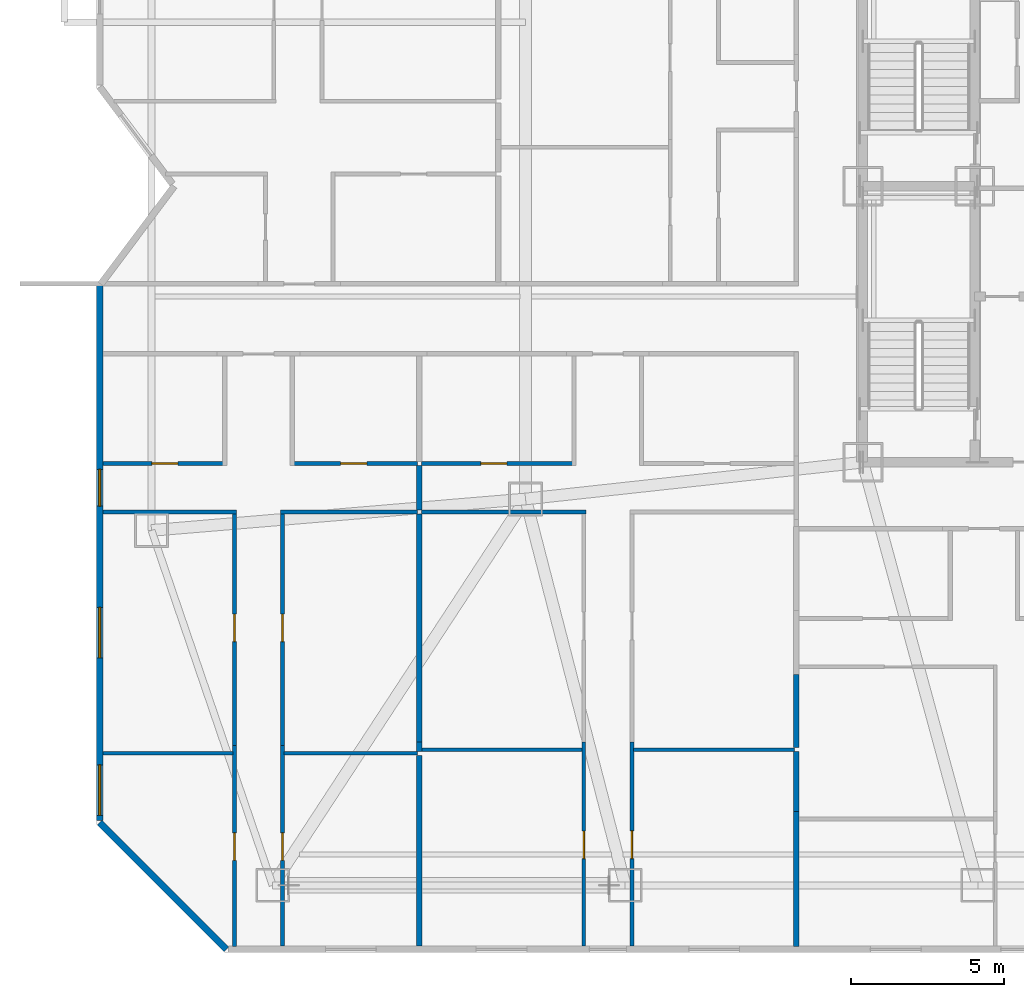
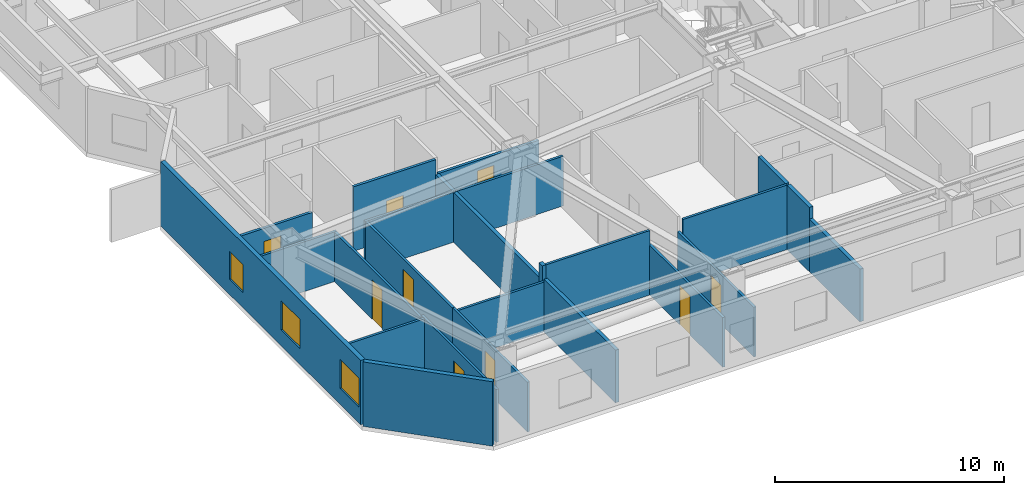
# One storey, part 6 of 14: 25 walls, 9 doors, 3 windows, 12 openings.
"""IFC4 building model written with IfcOpenShell, lengths in metres."""

from ifc_helpers import new_model, si_unit, direction, frame, frame_2d, origin, place, context, subcontext, project, spatial, rectangle, extrude, material, layer, layer_set, type_object, element, fill, save


model = new_model("IFC4")

# Units and contexts
model_context = context("Model", 3, precision=1e-05, world=origin(), true_north=direction((0.0, 1.0)))
body_context = subcontext(model_context, "Body", "Model", "MODEL_VIEW")
ifc_project = project(units=[si_unit("LENGTHUNIT", "METRE"), si_unit("AREAUNIT", "SQUARE_METRE"), si_unit("VOLUMEUNIT", "CUBIC_METRE"), si_unit("PLANEANGLEUNIT", "RADIAN"), si_unit("MASSUNIT", "GRAM", prefix="KILO")], contexts=[model_context])

# Site, building, storey
site_placement = place(None, origin())
site = spatial("IfcSite", under=ifc_project, at=site_placement, CompositionType="ELEMENT")
building_placement = place(site_placement, origin())
building = spatial("IfcBuilding", under=site, at=building_placement, Name="Khamvora Tower", CompositionType="ELEMENT")
storey_placement = place(building_placement, frame((0.0, 0.0, 51.550048828125)))
storey = spatial("IfcBuildingStorey", under=building, at=storey_placement, Name="L12", CompositionType="ELEMENT", Elevation=51.550048828125)

# Walls
ifc_material_1 = material(Name="Acoustic Double-Stud Fire Wall", Category="gypsum")
ifc_layer_1 = layer(ifc_material_1, 0.179931640625)
ifc_layer_set_1 = layer_set([ifc_layer_1], Name="Acoustic Double-Stud Fire Wall")
wall_type_1 = type_object("IfcWallType", Name="WAL-CORR-180", PredefinedType="STANDARD", material=ifc_layer_set_1)
wall_1_placement = place(storey_placement, frame((14.533935546875, 18.889892578125, 0.0), z_axis=(0.0, 0.0, 1.0), x_axis=(0.0, -1.0, 0.0)))
element("IfcWall", 1, at=wall_1_placement, inside=storey, type_object=wall_type_1, Name="L12 interior partition wall 058", PredefinedType="STANDARD", context=body_context, shape_type="SweptSolid", body=[
    extrude(rectangle(XDim=1.449951171875, YDim=0.179931640625, at=frame_2d((0.72509765625, 0.0))), origin(), (0.0, 0.0, 1.0), 2.64697265625),
])
wall_2_placement = place(storey_placement, frame((14.533935546875, 9.44091796875, 0.0), z_axis=(0.0, 0.0, 1.0), x_axis=(0.0, -1.0, 0.0)))
element("IfcWall", 2, at=wall_2_placement, inside=storey, type_object=wall_type_1, Name="L12 interior partition wall 062", PredefinedType="STANDARD", context=body_context, shape_type="SweptSolid", body=[
    extrude(rectangle(XDim=6.22900390625, YDim=0.179931640625, at=frame_2d((3.114501953125, 0.0))), origin(), (0.0, 0.0, 1.0), 2.802978515625),
])
wall_3_placement = place(storey_placement, frame((14.533935546875, 9.8720703125, 0.0), z_axis=(0.0, 0.0, 1.0), x_axis=(0.0, -1.0, 0.0)))
element("IfcWall", 3, at=wall_3_placement, inside=storey, type_object=wall_type_1, Name="L12 interior partition wall 063", PredefinedType="STANDARD", context=body_context, shape_type="SweptSolid", body=[
    extrude(rectangle(XDim=0.301025390625, YDim=0.179931640625, at=frame_2d((0.150390625, 0.0))), origin(), (0.0, 0.0, 1.0), 3.429931640625),
])
wall_4_placement = place(storey_placement, frame((14.533935546875, 17.31005859375, 0.0), z_axis=(0.0, 0.0, 1.0), x_axis=(0.0, -1.0, 0.0)))
element("IfcWall", 4, at=wall_4_placement, inside=storey, type_object=wall_type_1, Name="L12 interior partition wall 064", PredefinedType="STANDARD", context=body_context, shape_type="SweptSolid", body=[
    extrude(rectangle(XDim=7.43798828125, YDim=0.179931640625, at=frame_2d((3.718994140625, 0.0))), origin(), (0.0, 0.0, 1.0), 2.64697265625),
])
wall_5_placement = place(storey_placement, frame((26.8349609375, 7.610107421875, 0.0), z_axis=(0.0, 0.0, 1.0), x_axis=(0.0, -1.0, 0.0)))
element("IfcWall", 5, at=wall_5_placement, inside=storey, type_object=wall_type_1, Name="L12 interior partition wall 077", PredefinedType="STANDARD", context=body_context, shape_type="SweptSolid", body=[
    extrude(rectangle(XDim=4.398193359375, YDim=0.179931640625, at=frame_2d((2.19921875, 0.0))), origin(), (0.0, 0.0, 1.0), 2.802978515625),
])
wall_6_placement = place(storey_placement, frame((26.8349609375, 9.55810546875, 0.0), z_axis=(0.0, 0.0, 1.0), x_axis=(0.0, -1.0, 0.0)))
element("IfcWall", 6, at=wall_6_placement, inside=storey, type_object=wall_type_1, Name="L12 interior partition wall 078", PredefinedType="STANDARD", context=body_context, shape_type="SweptSolid", body=[
    extrude(rectangle(XDim=1.947998046875, YDim=0.179931640625, at=frame_2d((0.97412109375, 0.0))), origin(), (0.0, 0.0, 1.0), 3.429931640625),
])
wall_7_placement = place(storey_placement, frame((26.8349609375, 12.076904296875, 0.0), z_axis=(0.0, 0.0, 1.0), x_axis=(0.0, -1.0, 0.0)))
element("IfcWall", 7, at=wall_7_placement, inside=storey, type_object=wall_type_1, Name="L12 interior partition wall 081", PredefinedType="STANDARD", context=body_context, shape_type="SweptSolid", body=[
    extrude(rectangle(XDim=2.388916015625, YDim=0.179931640625, at=frame_2d((1.1943359375, 0.0))), origin(), (0.0, 0.0, 1.0), 3.429931640625),
])
ifc_material_2 = material(Name="Precast concrete C40/50", Category="concrete")
ifc_layer_2 = layer(ifc_material_2, 0.219970703125)
ifc_layer_set_2 = layer_set([ifc_layer_2], Name="Precast concrete C40/50")
wall_type_2 = type_object("IfcWallType", Name="WAL-EXT-220", PredefinedType="STANDARD", material=ifc_layer_set_2)
wall_8_placement = place(storey_placement, frame((8.24609375, 3.110107421875, 0.0), z_axis=(0.0, 0.0, 1.0), x_axis=(-0.707106781187, 0.707106781187, 0.0)))
element("IfcWall", 8, at=wall_8_placement, inside=storey, type_object=wall_type_2, Name="L12 exterior facade wall 01.1", PredefinedType="STANDARD", context=body_context, shape_type="SweptSolid", body=[
    extrude(rectangle(XDim=5.84912109375, YDim=0.219970703125, at=frame_2d((2.924560546875, 0.0))), origin(), (0.0, 0.0, 1.0), 3.429931640625),
])

# Wall, openings, windows
wall_9_placement = place(storey_placement, frame((4.110107421875, 7.31689453125, 0.0), z_axis=(0.0, 0.0, 1.0), x_axis=(0.0, 1.0, 0.0)))
wall_9 = element("IfcWall", 9, at=wall_9_placement, inside=storey, type_object=wall_type_2, Name="L12 exterior facade wall 02.1", PredefinedType="STANDARD", context=body_context, shape_type="SweptSolid", body=[
    extrude(rectangle(XDim=17.446044921875, YDim=0.219970703125, at=frame_2d((8.72314453125, 0.0))), origin(), (0.0, 0.0, 1.0), 3.429931640625),
])
opening_1_placement = place(wall_9_placement, frame((10.248046875, 0.0, 0.800048828125)))
opening_1 = element("IfcOpeningElement", 10, at=opening_1_placement, cuts=wall_9, Name="Opening WN-03", PredefinedType="OPENING", context=body_context, shape_type="SweptSolid", body=[
    extrude(rectangle(XDim=1.199951171875, YDim=1.5, at=frame_2d((0.60009765625, 0.75))), frame((0.0, 0.119873046875, 0.0), z_axis=(0.0, -1.0, 0.0), x_axis=(1.0, 0.0, 0.0)), (0.0, 0.0, 1.0), 0.239990234375),
])
opening_2_placement = place(wall_9_placement, frame((0.162109375, 0.0, 0.85009765625)))
opening_2 = element("IfcOpeningElement", 11, at=opening_2_placement, cuts=wall_9, Name="Opening WN-06", PredefinedType="OPENING", context=body_context, shape_type="SweptSolid", body=[
    extrude(rectangle(XDim=1.64990234375, YDim=1.550048828125, at=frame_2d((0.824951171875, 0.77490234375))), frame((0.0, 0.119873046875, 0.0), z_axis=(0.0, -1.0, 0.0), x_axis=(1.0, 0.0, 0.0)), (0.0, 0.0, 1.0), 0.239990234375),
])
opening_3_placement = place(wall_9_placement, frame((5.299072265625, 0.0, 0.85009765625)))
opening_3 = element("IfcOpeningElement", 12, at=opening_3_placement, cuts=wall_9, Name="Opening WN-06", PredefinedType="OPENING", context=body_context, shape_type="SweptSolid", body=[
    extrude(rectangle(XDim=1.64990234375, YDim=1.550048828125, at=frame_2d((0.824951171875, 0.77490234375))), frame((0.0, 0.119873046875, 0.0), z_axis=(0.0, -1.0, 0.0), x_axis=(1.0, 0.0, 0.0)), (0.0, 0.0, 1.0), 0.239990234375),
])
ifc_material_3 = material(Name="Low-E Laminated Double Glazing", Category="glass")
window_type_1 = type_object("IfcWindowType", Name="WIN-VIS-1200x1500", PartitioningType="SINGLE_PANEL", PredefinedType="WINDOW", material=ifc_material_3)
window_1_placement = place(opening_1_placement, origin())
window_1 = element("IfcWindow", 13, at=window_1_placement, inside=storey, type_object=window_type_1, Name="L12 vision window 02.1.01", OverallHeight=1.5, OverallWidth=1.199951171875, PartitioningType="SINGLE_PANEL", PredefinedType="WINDOW", context=body_context, shape_type="SweptSolid", body=[
    extrude(rectangle(XDim=1.199951171875, YDim=1.5, at=frame_2d((0.60009765625, 0.75))), frame((0.0, 0.030029296875, 0.0), z_axis=(0.0, -1.0, 0.0), x_axis=(1.0, 0.0, 0.0)), (0.0, 0.0, 1.0), 0.06005859375),
])
fill(opening_1, window_1)
window_type_2 = type_object("IfcWindowType", Name="WIN-VIS-1650x1550", PartitioningType="SINGLE_PANEL", PredefinedType="WINDOW", material=ifc_material_3)
window_2_placement = place(opening_2_placement, origin())
window_2 = element("IfcWindow", 14, at=window_2_placement, inside=storey, type_object=window_type_2, Name="L12 vision window 02.1.02", OverallHeight=1.550048828125, OverallWidth=1.64990234375, PartitioningType="SINGLE_PANEL", PredefinedType="WINDOW", context=body_context, shape_type="SweptSolid", body=[
    extrude(rectangle(XDim=1.64990234375, YDim=1.550048828125, at=frame_2d((0.824951171875, 0.77490234375))), frame((0.0, 0.030029296875, 0.0), z_axis=(0.0, -1.0, 0.0), x_axis=(1.0, 0.0, 0.0)), (0.0, 0.0, 1.0), 0.06005859375),
])
fill(opening_2, window_2)
window_3_placement = place(opening_3_placement, origin())
window_3 = element("IfcWindow", 15, at=window_3_placement, inside=storey, type_object=window_type_2, Name="L12 vision window 02.1.03", OverallHeight=1.550048828125, OverallWidth=1.64990234375, PartitioningType="SINGLE_PANEL", PredefinedType="WINDOW", context=body_context, shape_type="SweptSolid", body=[
    extrude(rectangle(XDim=1.64990234375, YDim=1.550048828125, at=frame_2d((0.824951171875, 0.77490234375))), frame((0.0, 0.030029296875, 0.0), z_axis=(0.0, -1.0, 0.0), x_axis=(1.0, 0.0, 0.0)), (0.0, 0.0, 1.0), 0.06005859375),
])
fill(opening_3, window_3)

# Wall, opening, door
ifc_material_4 = material(Name="Gypsum Plasterboard Partition", Category="gypsum")
ifc_layer_3 = layer(ifc_material_4, 0.1201171875)
ifc_layer_set_3 = layer_set([ifc_layer_3], Name="Gypsum Plasterboard Partition")
wall_type_3 = type_object("IfcWallType", Name="WAL-PART-120", PredefinedType="PARTITIONING", material=ifc_layer_set_3)
wall_10_placement = place(storey_placement, frame((8.50390625, 3.2119140625, 0.0), z_axis=(0.0, 0.0, 1.0), x_axis=(0.0, 1.0, 0.0)))
wall_10 = element("IfcWall", 16, at=wall_10_placement, inside=storey, type_object=wall_type_3, Name="L12 interior partition wall 052", PredefinedType="PARTITIONING", context=body_context, shape_type="SweptSolid", body=[
    extrude(rectangle(XDim=6.544189453125, YDim=0.1201171875, at=frame_2d((3.27197265625, 0.0))), origin(), (0.0, 0.0, 1.0), 2.802978515625),
])
opening_4_placement = place(wall_10_placement, frame((2.800048828125, 0.0, 0.0)))
opening_4 = element("IfcOpeningElement", 17, at=opening_4_placement, cuts=wall_10, Name="Opening D-RM1", PredefinedType="OPENING", context=body_context, shape_type="SweptSolid", body=[
    extrude(rectangle(XDim=0.89990234375, YDim=2.10009765625, at=frame_2d((0.449951171875, 1.050048828125))), frame((0.0, 0.070068359375, 0.0), z_axis=(0.0, -1.0, 0.0), x_axis=(1.0, 0.0, 0.0)), (0.0, 0.0, 1.0), 0.14013671875),
])
ifc_material_5 = material(Name="Powder-Coated Steel and Hardwood Leaf", Category="steel")
door_type_1 = type_object("IfcDoorType", Name="DOR-ROOM-900", OperationType="NOTDEFINED", PredefinedType="DOOR", material=ifc_material_5)
door_1_placement = place(opening_4_placement, origin())
door_1 = element("IfcDoor", 18, at=door_1_placement, inside=storey, type_object=door_type_1, Name="L12 interior door 12WA1H-12WA1L", OperationType="SINGLE_SWING_RIGHT", OverallHeight=2.10009765625, OverallWidth=0.89990234375, PredefinedType="DOOR", context=body_context, shape_type="SweptSolid", body=[
    extrude(rectangle(XDim=0.89990234375, YDim=2.10009765625, at=frame_2d((0.449951171875, 1.050048828125))), frame((0.0, 0.02490234375, 0.0), z_axis=(0.0, -1.0, 0.0), x_axis=(1.0, 0.0, 0.0)), (0.0, 0.0, 1.0), 0.050048828125),
])
fill(opening_4, door_1)

wall_11_placement = place(storey_placement, frame((8.50390625, 9.756103515625, 0.0), z_axis=(0.0, 0.0, 1.0), x_axis=(0.0, 1.0, 0.0)))
wall_11 = element("IfcWall", 19, at=wall_11_placement, inside=storey, type_object=wall_type_3, Name="L12 interior partition wall 053", PredefinedType="PARTITIONING", context=body_context, shape_type="SweptSolid", body=[
    extrude(rectangle(XDim=7.683837890625, YDim=0.1201171875, at=frame_2d((3.841796875, 0.0))), origin(), (0.0, 0.0, 1.0), 2.64697265625),
])
opening_5_placement = place(wall_11_placement, frame((3.39208984375, 0.0, 0.0)))
opening_5 = element("IfcOpeningElement", 20, at=opening_5_placement, cuts=wall_11, Name="Opening D-RM1", PredefinedType="OPENING", context=body_context, shape_type="SweptSolid", body=[
    extrude(rectangle(XDim=0.89990234375, YDim=2.10009765625, at=frame_2d((0.449951171875, 1.050048828125))), frame((0.0, 0.070068359375, 0.0), z_axis=(0.0, -1.0, 0.0), x_axis=(1.0, 0.0, 0.0)), (0.0, 0.0, 1.0), 0.14013671875),
])
door_2_placement = place(opening_5_placement, origin())
door_2 = element("IfcDoor", 21, at=door_2_placement, inside=storey, type_object=door_type_1, Name="L12 interior door 12WA1H-12WA1R2", OperationType="SINGLE_SWING_LEFT", OverallHeight=2.10009765625, OverallWidth=0.89990234375, PredefinedType="DOOR", context=body_context, shape_type="SweptSolid", body=[
    extrude(rectangle(XDim=0.89990234375, YDim=2.10009765625, at=frame_2d((0.449951171875, 1.050048828125))), frame((0.0, 0.02490234375, 0.0), z_axis=(0.0, -1.0, 0.0), x_axis=(1.0, 0.0, 0.0)), (0.0, 0.0, 1.0), 0.050048828125),
])
fill(opening_5, door_2)

# Wall
wall_12_placement = place(storey_placement, frame((8.569091796875, 17.375, 0.0), z_axis=(0.0, 0.0, 1.0), x_axis=(-1.0, 0.0, 0.0)))
element("IfcWall", 22, at=wall_12_placement, inside=storey, type_object=wall_type_3, Name="L12 interior partition wall 054", PredefinedType="PARTITIONING", context=body_context, shape_type="SweptSolid", body=[
    extrude(rectangle(XDim=4.357177734375, YDim=0.1201171875, at=frame_2d((2.1787109375, 0.0))), origin(), (0.0, 0.0, 1.0), 2.64697265625),
])

# Wall, opening, door
wall_13_placement = place(storey_placement, frame((10.073974609375, 9.756103515625, 0.0), z_axis=(0.0, 0.0, 1.0), x_axis=(0.0, -1.0, 0.0)))
wall_13 = element("IfcWall", 23, at=wall_13_placement, inside=storey, type_object=wall_type_3, Name="L12 interior partition wall 055", PredefinedType="PARTITIONING", context=body_context, shape_type="SweptSolid", body=[
    extrude(rectangle(XDim=6.544189453125, YDim=0.1201171875, at=frame_2d((3.27197265625, 0.0))), origin(), (0.0, 0.0, 1.0), 2.64697265625),
])
opening_6_placement = place(wall_13_placement, frame((2.843017578125, 0.0, 0.0)))
opening_6 = element("IfcOpeningElement", 24, at=opening_6_placement, cuts=wall_13, Name="Opening D-RM1", PredefinedType="OPENING", context=body_context, shape_type="SweptSolid", body=[
    extrude(rectangle(XDim=0.89990234375, YDim=2.10009765625, at=frame_2d((0.449951171875, 1.050048828125))), frame((0.0, 0.070068359375, 0.0), z_axis=(0.0, -1.0, 0.0), x_axis=(1.0, 0.0, 0.0)), (0.0, 0.0, 1.0), 0.14013671875),
])
door_3_placement = place(opening_6_placement, origin())
door_3 = element("IfcDoor", 25, at=door_3_placement, inside=storey, type_object=door_type_1, Name="L12 interior door 12WA1H-12WA1R3", OperationType="SINGLE_SWING_LEFT", OverallHeight=2.10009765625, OverallWidth=0.89990234375, PredefinedType="DOOR", context=body_context, shape_type="SweptSolid", body=[
    extrude(rectangle(XDim=0.89990234375, YDim=2.10009765625, at=frame_2d((0.449951171875, 1.050048828125))), frame((0.0, 0.02490234375, 0.0), z_axis=(0.0, -1.0, 0.0), x_axis=(1.0, 0.0, 0.0)), (0.0, 0.0, 1.0), 0.050048828125),
])
fill(opening_6, door_3)

# Wall
wall_14_placement = place(storey_placement, frame((14.468994140625, 17.375, 0.0), z_axis=(0.0, 0.0, 1.0), x_axis=(-1.0, 0.0, 0.0)))
element("IfcWall", 26, at=wall_14_placement, inside=storey, type_object=wall_type_3, Name="L12 interior partition wall 056", PredefinedType="PARTITIONING", context=body_context, shape_type="SweptSolid", body=[
    extrude(rectangle(XDim=4.4599609375, YDim=0.1201171875, at=frame_2d((2.22998046875, 0.0))), origin(), (0.0, 0.0, 1.0), 2.64697265625),
])

# Wall, opening, door
wall_15_placement = place(storey_placement, frame((10.073974609375, 17.43994140625, 0.0), z_axis=(0.0, 0.0, 1.0), x_axis=(0.0, -1.0, 0.0)))
wall_15 = element("IfcWall", 27, at=wall_15_placement, inside=storey, type_object=wall_type_3, Name="L12 interior partition wall 057", PredefinedType="PARTITIONING", context=body_context, shape_type="SweptSolid", body=[
    extrude(rectangle(XDim=7.683837890625, YDim=0.1201171875, at=frame_2d((3.841796875, 0.0))), origin(), (0.0, 0.0, 1.0), 2.64697265625),
])
opening_7_placement = place(wall_15_placement, frame((3.39208984375, 0.0, 0.0)))
opening_7 = element("IfcOpeningElement", 28, at=opening_7_placement, cuts=wall_15, Name="Opening D-RM1", PredefinedType="OPENING", context=body_context, shape_type="SweptSolid", body=[
    extrude(rectangle(XDim=0.89990234375, YDim=2.10009765625, at=frame_2d((0.449951171875, 1.050048828125))), frame((0.0, 0.070068359375, 0.0), z_axis=(0.0, -1.0, 0.0), x_axis=(1.0, 0.0, 0.0)), (0.0, 0.0, 1.0), 0.14013671875),
])
door_4_placement = place(opening_7_placement, origin())
door_4 = element("IfcDoor", 29, at=door_4_placement, inside=storey, type_object=door_type_1, Name="L12 interior door 12WA1H-12WA1R4", OperationType="SINGLE_SWING_LEFT", OverallHeight=2.10009765625, OverallWidth=0.89990234375, PredefinedType="DOOR", context=body_context, shape_type="SweptSolid", body=[
    extrude(rectangle(XDim=0.89990234375, YDim=2.10009765625, at=frame_2d((0.449951171875, 1.050048828125))), frame((0.0, 0.02490234375, 0.0), z_axis=(0.0, -1.0, 0.0), x_axis=(1.0, 0.0, 0.0)), (0.0, 0.0, 1.0), 0.050048828125),
])
fill(opening_7, door_4)

# Walls
wall_16_placement = place(storey_placement, frame((4.2119140625, 9.506103515625, 0.0), z_axis=(0.0, 0.0, 1.0), x_axis=(1.0, 0.0, 0.0)))
element("IfcWall", 30, at=wall_16_placement, inside=storey, type_object=wall_type_3, Name="L12 interior partition wall 060", PredefinedType="PARTITIONING", context=body_context, shape_type="SweptSolid", body=[
    extrude(rectangle(XDim=4.238037109375, YDim=0.1201171875, at=frame_2d((2.119140625, 0.0))), origin(), (0.0, 0.0, 1.0), 2.802978515625),
])
wall_17_placement = place(storey_placement, frame((10.1279296875, 9.506103515625, 0.0), z_axis=(0.0, 0.0, 1.0), x_axis=(1.0, 0.0, 0.0)))
element("IfcWall", 31, at=wall_17_placement, inside=storey, type_object=wall_type_3, Name="L12 interior partition wall 061", PredefinedType="PARTITIONING", context=body_context, shape_type="SweptSolid", body=[
    extrude(rectangle(XDim=4.341064453125, YDim=0.1201171875, at=frame_2d((2.17041015625, 0.0))), origin(), (0.0, 0.0, 1.0), 2.64697265625),
])

# Wall, opening, door
wall_18_placement = place(storey_placement, frame((19.89892578125, 3.2119140625, 0.0), z_axis=(0.0, 0.0, 1.0), x_axis=(0.0, 1.0, 0.0)))
wall_18 = element("IfcWall", 32, at=wall_18_placement, inside=storey, type_object=wall_type_3, Name="L12 interior partition wall 069", PredefinedType="PARTITIONING", context=body_context, shape_type="SweptSolid", body=[
    extrude(rectangle(XDim=6.66015625, YDim=0.1201171875, at=frame_2d((3.330078125, 0.0))), origin(), (0.0, 0.0, 1.0), 2.64697265625),
])
opening_8_placement = place(wall_18_placement, frame((2.85888671875, 0.0, 0.0)))
opening_8 = element("IfcOpeningElement", 33, at=opening_8_placement, cuts=wall_18, Name="Opening D-RM1", PredefinedType="OPENING", context=body_context, shape_type="SweptSolid", body=[
    extrude(rectangle(XDim=0.89990234375, YDim=2.10009765625, at=frame_2d((0.449951171875, 1.050048828125))), frame((0.0, 0.070068359375, 0.0), z_axis=(0.0, -1.0, 0.0), x_axis=(1.0, 0.0, 0.0)), (0.0, 0.0, 1.0), 0.14013671875),
])
door_5_placement = place(opening_8_placement, origin())
door_5 = element("IfcDoor", 34, at=door_5_placement, inside=storey, type_object=door_type_1, Name="L12 interior door 12WA2H-12WA2L", OperationType="SINGLE_SWING_RIGHT", OverallHeight=2.10009765625, OverallWidth=0.89990234375, PredefinedType="DOOR", context=body_context, shape_type="SweptSolid", body=[
    extrude(rectangle(XDim=0.89990234375, YDim=2.10009765625, at=frame_2d((0.449951171875, 1.050048828125))), frame((0.0, 0.02490234375, 0.0), z_axis=(0.0, -1.0, 0.0), x_axis=(1.0, 0.0, 0.0)), (0.0, 0.0, 1.0), 0.050048828125),
])
fill(opening_8, door_5)

# Wall
wall_19_placement = place(storey_placement, frame((19.964111328125, 17.375, 0.0), z_axis=(0.0, 0.0, 1.0), x_axis=(-1.0, 0.0, 0.0)))
element("IfcWall", 35, at=wall_19_placement, inside=storey, type_object=wall_type_3, Name="L12 interior partition wall 070", PredefinedType="PARTITIONING", context=body_context, shape_type="SweptSolid", body=[
    extrude(rectangle(XDim=5.364990234375, YDim=0.1201171875, at=frame_2d((2.6826171875, 0.0))), origin(), (0.0, 0.0, 1.0), 2.64697265625),
])

# Wall, opening, door
wall_20_placement = place(storey_placement, frame((21.468994140625, 9.8720703125, 0.0), z_axis=(0.0, 0.0, 1.0), x_axis=(0.0, -1.0, 0.0)))
wall_20 = element("IfcWall", 36, at=wall_20_placement, inside=storey, type_object=wall_type_3, Name="L12 interior partition wall 072", PredefinedType="PARTITIONING", context=body_context, shape_type="SweptSolid", body=[
    extrude(rectangle(XDim=6.66015625, YDim=0.1201171875, at=frame_2d((3.330078125, 0.0))), origin(), (0.0, 0.0, 1.0), 2.64697265625),
])
opening_9_placement = place(wall_20_placement, frame((2.90087890625, 0.0, 0.0)))
opening_9 = element("IfcOpeningElement", 37, at=opening_9_placement, cuts=wall_20, Name="Opening D-RM1", PredefinedType="OPENING", context=body_context, shape_type="SweptSolid", body=[
    extrude(rectangle(XDim=0.89990234375, YDim=2.10009765625, at=frame_2d((0.449951171875, 1.050048828125))), frame((0.0, 0.070068359375, 0.0), z_axis=(0.0, -1.0, 0.0), x_axis=(1.0, 0.0, 0.0)), (0.0, 0.0, 1.0), 0.14013671875),
])
door_6_placement = place(opening_9_placement, origin())
door_6 = element("IfcDoor", 38, at=door_6_placement, inside=storey, type_object=door_type_1, Name="L12 interior door 12WA2H-12WA2R3", OperationType="SINGLE_SWING_LEFT", OverallHeight=2.10009765625, OverallWidth=0.89990234375, PredefinedType="DOOR", context=body_context, shape_type="SweptSolid", body=[
    extrude(rectangle(XDim=0.89990234375, YDim=2.10009765625, at=frame_2d((0.449951171875, 1.050048828125))), frame((0.0, 0.02490234375, 0.0), z_axis=(0.0, -1.0, 0.0), x_axis=(1.0, 0.0, 0.0)), (0.0, 0.0, 1.0), 0.050048828125),
])
fill(opening_9, door_6)

# Walls
wall_21_placement = place(storey_placement, frame((14.615966796875, 9.623046875, 0.0), z_axis=(0.0, 0.0, 1.0), x_axis=(1.0, 0.0, 0.0)))
element("IfcWall", 39, at=wall_21_placement, inside=storey, type_object=wall_type_3, Name="L12 interior partition wall 075", PredefinedType="PARTITIONING", context=body_context, shape_type="SweptSolid", body=[
    extrude(rectangle(XDim=5.22900390625, YDim=0.1201171875, at=frame_2d((2.614501953125, 0.0))), origin(), (0.0, 0.0, 1.0), 3.429931640625),
])
wall_22_placement = place(storey_placement, frame((21.52294921875, 9.623046875, 0.0), z_axis=(0.0, 0.0, 1.0), x_axis=(1.0, 0.0, 0.0)))
element("IfcWall", 40, at=wall_22_placement, inside=storey, type_object=wall_type_3, Name="L12 interior partition wall 076", PredefinedType="PARTITIONING", context=body_context, shape_type="SweptSolid", body=[
    extrude(rectangle(XDim=5.2470703125, YDim=0.1201171875, at=frame_2d((2.62353515625, 0.0))), origin(), (0.0, 0.0, 1.0), 3.429931640625),
])

# Wall, opening, door
ifc_material_6 = material(Name="Moisture-Resistant Plasterboard Partition", Category="gypsum")
ifc_layer_4 = layer(ifc_material_6, 0.135009765625)
ifc_layer_set_4 = layer_set([ifc_layer_4], Name="Moisture-Resistant Plasterboard Partition")
wall_type_4 = type_object("IfcWallType", Name="WAL-WET-135", PredefinedType="PARTITIONING", material=ifc_layer_set_4)
wall_23_placement = place(storey_placement, frame((10.323974609375, 18.955078125, 0.0), z_axis=(0.0, 0.0, 1.0), x_axis=(1.0, 0.0, 0.0)))
wall_23 = element("IfcWall", 41, at=wall_23_placement, inside=storey, type_object=wall_type_4, Name="L12 interior partition wall 049", PredefinedType="PARTITIONING", context=body_context, shape_type="SweptSolid", body=[
    extrude(rectangle(XDim=4.14501953125, YDim=0.135009765625, at=frame_2d((2.072509765625, 0.0))), origin(), (0.0, 0.0, 1.0), 3.429931640625),
])
opening_10_placement = place(wall_23_placement, frame((1.64697265625, 0.0, 0.0)))
opening_10 = element("IfcOpeningElement", 42, at=opening_10_placement, cuts=wall_23, Name="Opening D-WC1", PredefinedType="OPENING", context=body_context, shape_type="SweptSolid", body=[
    extrude(rectangle(XDim=0.85009765625, YDim=2.10009765625, at=frame_2d((0.425048828125, 1.050048828125))), frame((0.0, 0.077392578125, 0.0), z_axis=(0.0, -1.0, 0.0), x_axis=(1.0, 0.0, 0.0)), (0.0, 0.0, 1.0), 0.155029296875),
])
door_type_2 = type_object("IfcDoorType", Name="DOR-WET-850", OperationType="NOTDEFINED", PredefinedType="DOOR", material=ifc_material_5)
door_7_placement = place(opening_10_placement, origin())
door_7 = element("IfcDoor", 43, at=door_7_placement, inside=storey, type_object=door_type_2, Name="L12 interior door 12WA1H-12WA1B", OperationType="SINGLE_SWING_RIGHT", OverallHeight=2.10009765625, OverallWidth=0.85009765625, PredefinedType="DOOR", context=body_context, shape_type="SweptSolid", body=[
    extrude(rectangle(XDim=0.85009765625, YDim=2.10009765625, at=frame_2d((0.425048828125, 1.050048828125))), frame((0.0, 0.02490234375, 0.0), z_axis=(0.0, -1.0, 0.0), x_axis=(1.0, 0.0, 0.0)), (0.0, 0.0, 1.0), 0.050048828125),
])
fill(opening_10, door_7)

wall_24_placement = place(storey_placement, frame((4.2119140625, 18.955078125, 0.0), z_axis=(0.0, 0.0, 1.0), x_axis=(1.0, 0.0, 0.0)))
wall_24 = element("IfcWall", 44, at=wall_24_placement, inside=storey, type_object=wall_type_4, Name="L12 interior partition wall 050", PredefinedType="PARTITIONING", context=body_context, shape_type="SweptSolid", body=[
    extrude(rectangle(XDim=4.0419921875, YDim=0.135009765625, at=frame_2d((2.02099609375, 0.0))), origin(), (0.0, 0.0, 1.0), 2.802978515625),
])
opening_11_placement = place(wall_24_placement, frame((1.595947265625, 0.0, 0.0)))
opening_11 = element("IfcOpeningElement", 45, at=opening_11_placement, cuts=wall_24, Name="Opening D-RM2", PredefinedType="OPENING", context=body_context, shape_type="SweptSolid", body=[
    extrude(rectangle(XDim=0.85009765625, YDim=2.10009765625, at=frame_2d((0.425048828125, 1.050048828125))), frame((0.0, 0.077392578125, 0.0), z_axis=(0.0, -1.0, 0.0), x_axis=(1.0, 0.0, 0.0)), (0.0, 0.0, 1.0), 0.155029296875),
])
door_type_3 = type_object("IfcDoorType", Name="DOR-ROOM-850", OperationType="NOTDEFINED", PredefinedType="DOOR", material=ifc_material_5)
door_8_placement = place(opening_11_placement, origin())
door_8 = element("IfcDoor", 46, at=door_8_placement, inside=storey, type_object=door_type_3, Name="L12 interior door 12WA1H-12WA1K", OperationType="SINGLE_SWING_LEFT", OverallHeight=2.10009765625, OverallWidth=0.85009765625, PredefinedType="DOOR", context=body_context, shape_type="SweptSolid", body=[
    extrude(rectangle(XDim=0.85009765625, YDim=2.10009765625, at=frame_2d((0.425048828125, 1.050048828125))), frame((0.0, 0.02490234375, 0.0), z_axis=(0.0, -1.0, 0.0), x_axis=(1.0, 0.0, 0.0)), (0.0, 0.0, 1.0), 0.050048828125),
])
fill(opening_11, door_8)

wall_25_placement = place(storey_placement, frame((14.59912109375, 18.955078125, 0.0), z_axis=(0.0, 0.0, 1.0), x_axis=(1.0, 0.0, 0.0)))
wall_25 = element("IfcWall", 47, at=wall_25_placement, inside=storey, type_object=wall_type_4, Name="L12 interior partition wall 067", PredefinedType="PARTITIONING", context=body_context, shape_type="SweptSolid", body=[
    extrude(rectangle(XDim=5.0498046875, YDim=0.135009765625, at=frame_2d((2.52490234375, 0.0))), origin(), (0.0, 0.0, 1.0), 2.64697265625),
])
opening_12_placement = place(wall_25_placement, frame((1.944091796875, 0.0, 0.0)))
opening_12 = element("IfcOpeningElement", 48, at=opening_12_placement, cuts=wall_25, Name="Opening D-RM2", PredefinedType="OPENING", context=body_context, shape_type="SweptSolid", body=[
    extrude(rectangle(XDim=0.85009765625, YDim=2.10009765625, at=frame_2d((0.425048828125, 1.050048828125))), frame((0.0, 0.077392578125, 0.0), z_axis=(0.0, -1.0, 0.0), x_axis=(1.0, 0.0, 0.0)), (0.0, 0.0, 1.0), 0.155029296875),
])
door_9_placement = place(opening_12_placement, origin())
door_9 = element("IfcDoor", 49, at=door_9_placement, inside=storey, type_object=door_type_3, Name="L12 interior door 12WA2H-12WA2K", OperationType="SINGLE_SWING_LEFT", OverallHeight=2.10009765625, OverallWidth=0.85009765625, PredefinedType="DOOR", context=body_context, shape_type="SweptSolid", body=[
    extrude(rectangle(XDim=0.85009765625, YDim=2.10009765625, at=frame_2d((0.425048828125, 1.050048828125))), frame((0.0, 0.02490234375, 0.0), z_axis=(0.0, -1.0, 0.0), x_axis=(1.0, 0.0, 0.0)), (0.0, 0.0, 1.0), 0.050048828125),
])
fill(opening_12, door_9)

save(model, "model.ifc")
